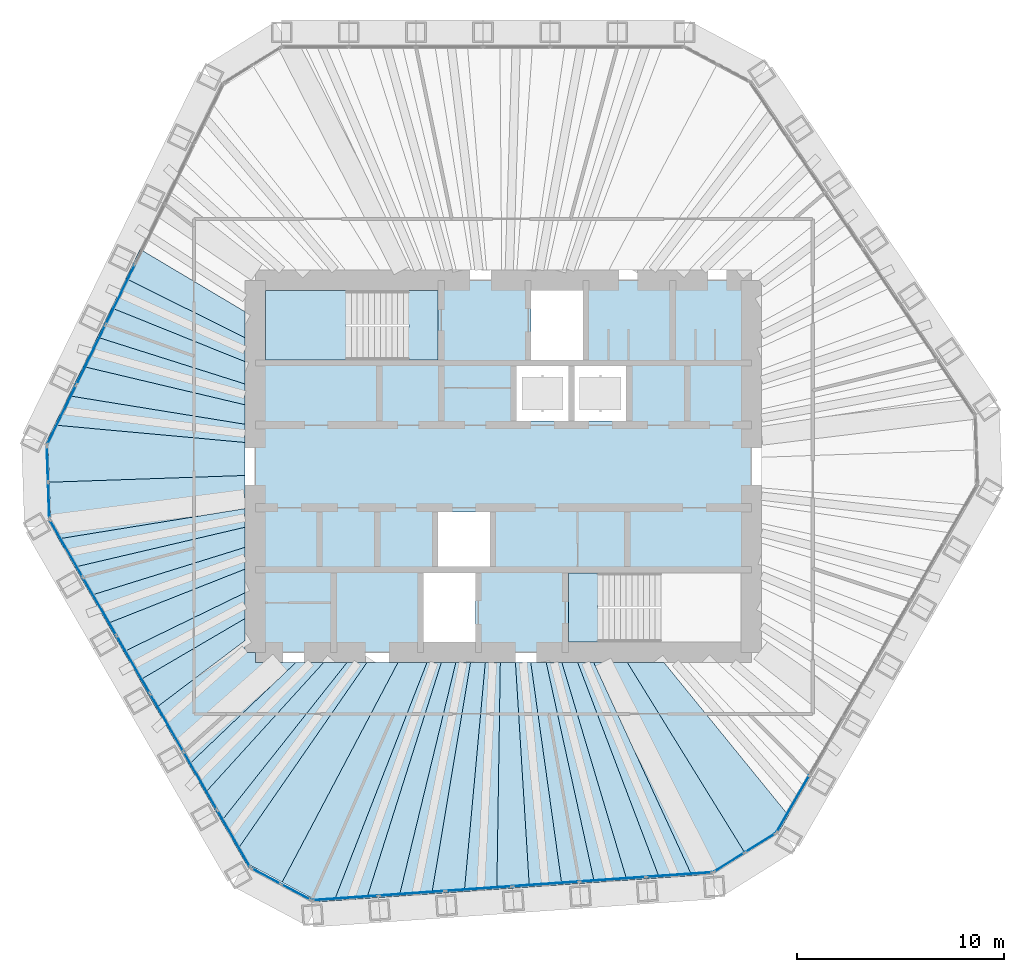
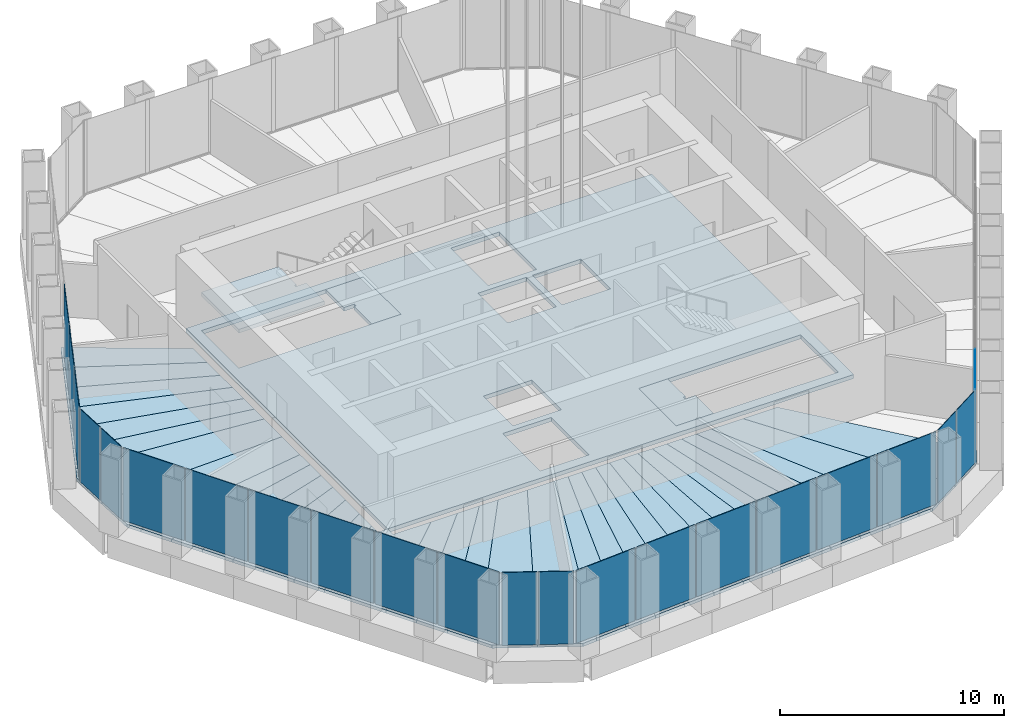
# One storey, part 9 of 19: 37 slabs, 22 plates, 9 elements without a shape of their own.
"""IFC4 building model written with IfcOpenShell, lengths in metres."""

from ifc_helpers import new_model, si_unit, direction, frame, origin, origin_2d, place, context, subcontext, project, spatial, polyline, rectangle, outline, extrude, material, layer, layer_set, type_object, element, aggregate, save


model = new_model("IFC4")

# Units and contexts
model_context = context("Model", 3, precision=1e-05, world=origin(), true_north=direction((0.0, 1.0)))
body_context = subcontext(model_context, "Body", "Model", "MODEL_VIEW")
ifc_project = project(units=[si_unit("LENGTHUNIT", "METRE"), si_unit("AREAUNIT", "SQUARE_METRE"), si_unit("VOLUMEUNIT", "CUBIC_METRE"), si_unit("PLANEANGLEUNIT", "RADIAN"), si_unit("MASSUNIT", "GRAM", prefix="KILO")], contexts=[model_context])

# Site, building, storey
site_placement = place(None, origin())
site = spatial("IfcSite", under=ifc_project, at=site_placement, CompositionType="ELEMENT")
building_placement = place(site_placement, origin())
building = spatial("IfcBuilding", under=site, at=building_placement, Name="Qingtian Harvest Tower", CompositionType="ELEMENT")
storey_placement = place(building_placement, frame((0.0, 0.0, 262.0)))
storey = spatial("IfcBuildingStorey", under=building, at=storey_placement, Name="L57", CompositionType="ELEMENT", Elevation=262.0)

# Slabs
ifc_material_1 = material(Name="Concrete fc' 35 MPa", Category="concrete")
ifc_layer_1 = layer(ifc_material_1, 0.169921875)
ifc_layer_set_1 = layer_set([ifc_layer_1], Name="Composite floor slab FS17 170")
slab_type_1 = type_object("IfcSlabType", Name="Composite floor slab FS17 170", PredefinedType="FLOOR", material=ifc_layer_set_1)
slab_1_placement = place(storey_placement, frame((0.0, 0.0, -0.169921875)))
element("IfcSlab", 1, at=slab_1_placement, inside=storey, type_object=slab_type_1, Name="Floor slab L57 panel D01", PredefinedType="FLOOR", context=body_context, shape_type="SweptSolid", body=[
    extrude(outline(polyline([(-21.969970703125, -0.767578125), (-12.5, -0.4404296875), (-12.5, -2.044921875), (-21.53515625, -3.509765625), (-21.89599609375, -2.885009765625), (-21.969970703125, -0.767578125)])), origin(), (0.0, 0.0, 1.0), 0.169921875),
])
slab_2_placement = place(storey_placement, frame((0.0, 0.0, -0.169921875)))
element("IfcSlab", 2, at=slab_2_placement, inside=storey, type_object=slab_type_1, Name="Floor slab L57 panel D02", PredefinedType="FLOOR", context=body_context, shape_type="SweptSolid", body=[
    extrude(outline(polyline([(-12.5, -2.94677734375), (-20.74609375, -4.87646484375), (-21.53515625, -3.509765625), (-12.5, -2.044921875), (-12.5, -2.94677734375)])), origin(), (0.0, 0.0, 1.0), 0.169921875),
])
slab_3_placement = place(storey_placement, frame((0.0, 0.0, -0.169921875)))
element("IfcSlab", 3, at=slab_3_placement, inside=storey, type_object=slab_type_1, Name="Floor slab L57 panel D03", PredefinedType="FLOOR", context=body_context, shape_type="SweptSolid", body=[
    extrude(outline(polyline([(-12.5, -3.919921875), (-19.957275390625, -6.2431640625), (-20.74609375, -4.87646484375), (-12.5, -2.94677734375), (-12.5, -3.919921875)])), origin(), (0.0, 0.0, 1.0), 0.169921875),
])
slab_4_placement = place(storey_placement, frame((0.0, 0.0, -0.169921875)))
element("IfcSlab", 4, at=slab_4_placement, inside=storey, type_object=slab_type_1, Name="Floor slab L57 panel D04", PredefinedType="FLOOR", context=body_context, shape_type="SweptSolid", body=[
    extrude(outline(polyline([(-12.5, -4.973388671875), (-19.168212890625, -7.60986328125), (-19.957275390625, -6.2431640625), (-12.5, -3.919921875), (-12.5, -4.973388671875)])), origin(), (0.0, 0.0, 1.0), 0.169921875),
])
slab_5_placement = place(storey_placement, frame((0.0, 0.0, -0.169921875)))
element("IfcSlab", 5, at=slab_5_placement, inside=storey, type_object=slab_type_1, Name="Floor slab L57 panel D05", PredefinedType="FLOOR", context=body_context, shape_type="SweptSolid", body=[
    extrude(outline(polyline([(-12.5, -6.1171875), (-18.379150390625, -8.9765625), (-19.168212890625, -7.60986328125), (-12.5, -4.973388671875), (-12.5, -6.1171875)])), origin(), (0.0, 0.0, 1.0), 0.169921875),
])
slab_6_placement = place(storey_placement, frame((0.0, 0.0, -0.169921875)))
element("IfcSlab", 6, at=slab_6_placement, inside=storey, type_object=slab_type_1, Name="Floor slab L57 panel D06", PredefinedType="FLOOR", context=body_context, shape_type="SweptSolid", body=[
    extrude(outline(polyline([(-12.5, -7.364013671875), (-17.58984375, -10.34326171875), (-18.379150390625, -8.9765625), (-12.5, -6.1171875), (-12.5, -7.364013671875)])), origin(), (0.0, 0.0, 1.0), 0.169921875),
])
slab_7_placement = place(storey_placement, frame((0.0, 0.0, -0.169921875)))
element("IfcSlab", 7, at=slab_7_placement, inside=storey, type_object=slab_type_1, Name="Floor slab L57 panel D07", PredefinedType="FLOOR", context=body_context, shape_type="SweptSolid", body=[
    extrude(outline(polyline([(-12.5, -8.432373046875), (-16.81298828125, -11.68896484375), (-17.58984375, -10.34326171875), (-12.5, -7.364013671875), (-12.5, -8.432373046875)])), origin(), (0.0, 0.0, 1.0), 0.169921875),
])
slab_8_placement = place(storey_placement, frame((0.0, 0.0, -0.169921875)))
element("IfcSlab", 8, at=slab_8_placement, inside=storey, type_object=slab_type_1, Name="Floor slab L57 panel D09", PredefinedType="FLOOR", context=body_context, shape_type="SweptSolid", body=[
    extrude(outline(polyline([(-15.224365234375, -14.4404296875), (-16.81298828125, -11.68896484375), (-12.5, -8.432373046875), (-12.5, -9.0), (-12.0, -9.0), (-12.0, -9.5), (-10.048828125, -9.5), (-15.224365234375, -14.4404296875)])), origin(), (0.0, 0.0, 1.0), 0.169921875),
])
slab_9_placement = place(storey_placement, frame((0.0, 0.0, -0.169921875)))
element("IfcSlab", 9, at=slab_9_placement, inside=storey, type_object=slab_type_1, Name="Floor slab L57 panel D10", PredefinedType="FLOOR", context=body_context, shape_type="SweptSolid", body=[
    extrude(outline(polyline([(-8.70068359375, -9.5), (-14.435302734375, -15.807373046875), (-15.224365234375, -14.4404296875), (-10.048828125, -9.5), (-8.70068359375, -9.5)])), origin(), (0.0, 0.0, 1.0), 0.169921875),
])
slab_10_placement = place(storey_placement, frame((0.0, 0.0, -0.169921875)))
element("IfcSlab", 10, at=slab_10_placement, inside=storey, type_object=slab_type_1, Name="Floor slab L57 panel D11", PredefinedType="FLOOR", context=body_context, shape_type="SweptSolid", body=[
    extrude(outline(polyline([(-7.568359375, -9.5), (-13.64599609375, -17.17431640625), (-14.435302734375, -15.807373046875), (-8.70068359375, -9.5), (-7.568359375, -9.5)])), origin(), (0.0, 0.0, 1.0), 0.169921875),
])
slab_11_placement = place(storey_placement, frame((0.0, 0.0, -0.169921875)))
element("IfcSlab", 11, at=slab_11_placement, inside=storey, type_object=slab_type_1, Name="Floor slab L57 panel D12", PredefinedType="FLOOR", context=body_context, shape_type="SweptSolid", body=[
    extrude(outline(polyline([(-6.603515625, -9.5), (-12.85693359375, -18.541015625), (-13.64599609375, -17.17431640625), (-7.568359375, -9.5), (-6.603515625, -9.5)])), origin(), (0.0, 0.0, 1.0), 0.169921875),
])
slab_12_placement = place(storey_placement, frame((0.0, 0.0, -0.169921875)))
element("IfcSlab", 12, at=slab_12_placement, inside=storey, type_object=slab_type_1, Name="Floor slab L57 panel D13", PredefinedType="FLOOR", context=body_context, shape_type="SweptSolid", body=[
    extrude(outline(polyline([(-6.603515625, -9.5), (-5.10009765625, -9.5), (-10.700927734375, -20.12060546875), (-12.49609375, -19.166259765625), (-12.85693359375, -18.541015625), (-6.603515625, -9.5)])), origin(), (0.0, 0.0, 1.0), 0.169921875),
])
slab_13_placement = place(storey_placement, frame((0.0, 0.0, -0.169921875)))
element("IfcSlab", 13, at=slab_13_placement, inside=storey, type_object=slab_type_1, Name="Floor slab L57 panel D14", PredefinedType="FLOOR", context=body_context, shape_type="SweptSolid", body=[
    extrude(outline(polyline([(-5.10009765625, -9.5), (-3.696044921875, -9.5), (-8.1826171875, -21.027099609375), (-8.90185546875, -21.077392578125), (-10.700927734375, -20.12060546875), (-5.10009765625, -9.5)])), origin(), (0.0, 0.0, 1.0), 0.169921875),
])
slab_14_placement = place(storey_placement, frame((0.0, 0.0, -0.169921875)))
element("IfcSlab", 14, at=slab_14_placement, inside=storey, type_object=slab_type_1, Name="Floor slab L57 panel D15", PredefinedType="FLOOR", context=body_context, shape_type="SweptSolid", body=[
    extrude(outline(polyline([(-3.00048828125, -9.5), (-6.6083984375, -20.9169921875), (-8.1826171875, -21.027099609375), (-3.696044921875, -9.5), (-3.00048828125, -9.5)])), origin(), (0.0, 0.0, 1.0), 0.169921875),
])
slab_15_placement = place(storey_placement, frame((0.0, 0.0, -0.169921875)))
element("IfcSlab", 15, at=slab_15_placement, inside=storey, type_object=slab_type_1, Name="Floor slab L57 panel D16", PredefinedType="FLOOR", context=body_context, shape_type="SweptSolid", body=[
    extrude(outline(polyline([(-2.297607421875, -9.5), (-5.0341796875, -20.806884765625), (-6.6083984375, -20.9169921875), (-3.00048828125, -9.5), (-2.297607421875, -9.5)])), origin(), (0.0, 0.0, 1.0), 0.169921875),
])
slab_16_placement = place(storey_placement, frame((0.0, 0.0, -0.169921875)))
element("IfcSlab", 16, at=slab_16_placement, inside=storey, type_object=slab_type_1, Name="Floor slab L57 panel D17", PredefinedType="FLOOR", context=body_context, shape_type="SweptSolid", body=[
    extrude(outline(polyline([(-1.58740234375, -9.5), (-3.460205078125, -20.69677734375), (-5.0341796875, -20.806884765625), (-2.297607421875, -9.5), (-1.58740234375, -9.5)])), origin(), (0.0, 0.0, 1.0), 0.169921875),
])
slab_17_placement = place(storey_placement, frame((0.0, 0.0, -0.169921875)))
element("IfcSlab", 17, at=slab_17_placement, inside=storey, type_object=slab_type_1, Name="Floor slab L57 panel D18", PredefinedType="FLOOR", context=body_context, shape_type="SweptSolid", body=[
    extrude(outline(polyline([(-0.869384765625, -9.5), (-1.885986328125, -20.586669921875), (-3.460205078125, -20.69677734375), (-1.58740234375, -9.5), (-0.869384765625, -9.5)])), origin(), (0.0, 0.0, 1.0), 0.169921875),
])
slab_18_placement = place(storey_placement, frame((0.0, 0.0, -0.169921875)))
element("IfcSlab", 18, at=slab_18_placement, inside=storey, type_object=slab_type_1, Name="Floor slab L57 panel D19", PredefinedType="FLOOR", context=body_context, shape_type="SweptSolid", body=[
    extrude(outline(polyline([(-0.143798828125, -9.5), (-0.311767578125, -20.4765625), (-1.885986328125, -20.586669921875), (-0.869384765625, -9.5), (-0.143798828125, -9.5)])), origin(), (0.0, 0.0, 1.0), 0.169921875),
])
slab_19_placement = place(storey_placement, frame((0.0, 0.0, -0.169921875)))
element("IfcSlab", 19, at=slab_19_placement, inside=storey, type_object=slab_type_1, Name="Floor slab L57 panel D20", PredefinedType="FLOOR", context=body_context, shape_type="SweptSolid", body=[
    extrude(outline(polyline([(0.58984375, -9.5), (1.262451171875, -20.366455078125), (-0.311767578125, -20.4765625), (-0.143798828125, -9.5), (0.58984375, -9.5)])), origin(), (0.0, 0.0, 1.0), 0.169921875),
])
slab_20_placement = place(storey_placement, frame((0.0, 0.0, -0.169921875)))
element("IfcSlab", 20, at=slab_20_placement, inside=storey, type_object=slab_type_1, Name="Floor slab L57 panel D21", PredefinedType="FLOOR", context=body_context, shape_type="SweptSolid", body=[
    extrude(outline(polyline([(1.331298828125, -9.5), (2.83642578125, -20.256591796875), (1.262451171875, -20.366455078125), (0.58984375, -9.5), (1.331298828125, -9.5)])), origin(), (0.0, 0.0, 1.0), 0.169921875),
])
slab_21_placement = place(storey_placement, frame((0.0, 0.0, -0.169921875)))
element("IfcSlab", 21, at=slab_21_placement, inside=storey, type_object=slab_type_1, Name="Floor slab L57 panel D22", PredefinedType="FLOOR", context=body_context, shape_type="SweptSolid", body=[
    extrude(outline(polyline([(2.080810546875, -9.5), (4.41064453125, -20.146484375), (2.83642578125, -20.256591796875), (1.331298828125, -9.5), (2.080810546875, -9.5)])), origin(), (0.0, 0.0, 1.0), 0.169921875),
])
slab_22_placement = place(storey_placement, frame((0.0, 0.0, -0.169921875)))
element("IfcSlab", 22, at=slab_22_placement, inside=storey, type_object=slab_type_1, Name="Floor slab L57 panel D23", PredefinedType="FLOOR", context=body_context, shape_type="SweptSolid", body=[
    extrude(outline(polyline([(2.838623046875, -9.5), (5.98486328125, -20.036376953125), (4.41064453125, -20.146484375), (2.080810546875, -9.5), (2.838623046875, -9.5)])), origin(), (0.0, 0.0, 1.0), 0.169921875),
])
slab_23_placement = place(storey_placement, frame((0.0, 0.0, -0.169921875)))
element("IfcSlab", 23, at=slab_23_placement, inside=storey, type_object=slab_type_1, Name="Floor slab L57 panel D24", PredefinedType="FLOOR", context=body_context, shape_type="SweptSolid", body=[
    extrude(outline(polyline([(3.604736328125, -9.5), (7.55908203125, -19.92626953125), (5.98486328125, -20.036376953125), (2.838623046875, -9.5), (3.604736328125, -9.5)])), origin(), (0.0, 0.0, 1.0), 0.169921875),
])
slab_24_placement = place(storey_placement, frame((0.0, 0.0, -0.169921875)))
element("IfcSlab", 24, at=slab_24_placement, inside=storey, type_object=slab_type_1, Name="Floor slab L57 panel D25", PredefinedType="FLOOR", context=body_context, shape_type="SweptSolid", body=[
    extrude(outline(polyline([(4.379638671875, -9.5), (9.133056640625, -19.816162109375), (7.55908203125, -19.92626953125), (3.604736328125, -9.5), (4.379638671875, -9.5)])), origin(), (0.0, 0.0, 1.0), 0.169921875),
])
slab_25_placement = place(storey_placement, frame((0.0, 0.0, -0.169921875)))
element("IfcSlab", 25, at=slab_25_placement, inside=storey, type_object=slab_type_1, Name="Floor slab L57 panel D26", PredefinedType="FLOOR", context=body_context, shape_type="SweptSolid", body=[
    extrude(outline(polyline([(4.379638671875, -9.5), (6.0087890625, -9.5), (11.652587890625, -18.64111328125), (9.852294921875, -19.765869140625), (9.133056640625, -19.816162109375), (4.379638671875, -9.5)])), origin(), (0.0, 0.0, 1.0), 0.169921875),
])
slab_26_placement = place(storey_placement, frame((0.0, 0.0, -0.169921875)))
element("IfcSlab", 26, at=slab_26_placement, inside=storey, type_object=slab_type_1, Name="Floor slab L57 panel D27", PredefinedType="FLOOR", context=body_context, shape_type="SweptSolid", body=[
    extrude(outline(polyline([(6.0087890625, -9.5), (7.78515625, -9.5), (13.8076171875, -16.89453125), (13.446533203125, -17.52001953125), (11.652587890625, -18.64111328125), (6.0087890625, -9.5)])), origin(), (0.0, 0.0, 1.0), 0.169921875),
])
slab_27_placement = place(storey_placement, frame((0.0, 0.0, -0.169921875)))
element("IfcSlab", 27, at=slab_27_placement, inside=storey, type_object=slab_type_1, Name="Floor slab L57 panel D72", PredefinedType="FLOOR", context=body_context, shape_type="SweptSolid", body=[
    extrude(outline(polyline([(-12.5, 6.23095703125), (-18.268798828125, 9.0908203125), (-17.576904296875, 10.50927734375), (-12.5, 7.48583984375), (-12.5, 6.23095703125)])), origin(), (0.0, 0.0, 1.0), 0.169921875),
])
slab_28_placement = place(storey_placement, frame((0.0, 0.0, -0.169921875)))
element("IfcSlab", 28, at=slab_28_placement, inside=storey, type_object=slab_type_1, Name="Floor slab L57 panel D73", PredefinedType="FLOOR", context=body_context, shape_type="SweptSolid", body=[
    extrude(outline(polyline([(-12.5, 5.06787109375), (-18.96044921875, 7.67236328125), (-18.268798828125, 9.0908203125), (-12.5, 6.23095703125), (-12.5, 5.06787109375)])), origin(), (0.0, 0.0, 1.0), 0.169921875),
])
slab_29_placement = place(storey_placement, frame((0.0, 0.0, -0.169921875)))
element("IfcSlab", 29, at=slab_29_placement, inside=storey, type_object=slab_type_1, Name="Floor slab L57 panel D74", PredefinedType="FLOOR", context=body_context, shape_type="SweptSolid", body=[
    extrude(outline(polyline([(-12.5, 3.986572265625), (-19.65234375, 6.254150390625), (-18.96044921875, 7.67236328125), (-12.5, 5.06787109375), (-12.5, 3.986572265625)])), origin(), (0.0, 0.0, 1.0), 0.169921875),
])
slab_30_placement = place(storey_placement, frame((0.0, 0.0, -0.169921875)))
element("IfcSlab", 30, at=slab_30_placement, inside=storey, type_object=slab_type_1, Name="Floor slab L57 panel D75", PredefinedType="FLOOR", context=body_context, shape_type="SweptSolid", body=[
    extrude(outline(polyline([(-12.5, 2.97900390625), (-20.343994140625, 4.835693359375), (-19.65234375, 6.254150390625), (-12.5, 3.986572265625), (-12.5, 2.97900390625)])), origin(), (0.0, 0.0, 1.0), 0.169921875),
])
slab_31_placement = place(storey_placement, frame((0.0, 0.0, -0.169921875)))
element("IfcSlab", 31, at=slab_31_placement, inside=storey, type_object=slab_type_1, Name="Floor slab L57 panel D76", PredefinedType="FLOOR", context=body_context, shape_type="SweptSolid", body=[
    extrude(outline(polyline([(-12.5, 2.037841796875), (-21.035888671875, 3.41748046875), (-20.343994140625, 4.835693359375), (-12.5, 2.97900390625), (-12.5, 2.037841796875)])), origin(), (0.0, 0.0, 1.0), 0.169921875),
])
slab_32_placement = place(storey_placement, frame((0.0, 0.0, -0.169921875)))
element("IfcSlab", 32, at=slab_32_placement, inside=storey, type_object=slab_type_1, Name="Floor slab L57 panel D77", PredefinedType="FLOOR", context=body_context, shape_type="SweptSolid", body=[
    extrude(outline(polyline([(-12.5, 1.156494140625), (-21.7275390625, 1.9990234375), (-21.035888671875, 3.41748046875), (-12.5, 2.037841796875), (-12.5, 1.156494140625)])), origin(), (0.0, 0.0, 1.0), 0.169921875),
])
slab_33_placement = place(storey_placement, frame((0.0, 0.0, -0.169921875)))
element("IfcSlab", 33, at=slab_33_placement, inside=storey, type_object=slab_type_1, Name="Floor slab L57 panel D78", PredefinedType="FLOOR", context=body_context, shape_type="SweptSolid", body=[
    extrude(outline(polyline([(-12.5, 1.156494140625), (-12.5, -0.4404296875), (-21.969970703125, -0.767578125), (-22.0439453125, 1.3505859375), (-21.7275390625, 1.9990234375), (-12.5, 1.156494140625)])), origin(), (0.0, 0.0, 1.0), 0.169921875),
])
ifc_material_2 = material(Name="Concrete fc' 35 MPa", Category="concrete")
ifc_layer_2 = layer(ifc_material_2, 0.219970703125)
ifc_layer_set_2 = layer_set([ifc_layer_2], Name="Core floor slab CS22 220")
slab_type_2 = type_object("IfcSlabType", Name="Core floor slab CS22 220", PredefinedType="FLOOR", material=ifc_layer_set_2)
slab_34_placement = place(storey_placement, frame((0.0, 0.0, -0.219970703125)))
element("IfcSlab", 34, at=slab_34_placement, inside=storey, type_object=slab_type_2, Name="Core floor slab L57", PredefinedType="FLOOR", context=body_context, shape_type="SweptSolid", body=[
    extrude(outline(polyline([(-12.0, -9.0), (12.0, -9.0), (12.0, 9.0), (-12.0, 9.0), (-12.0, -9.0)]), holes=[polyline([(-11.5, 5.14990234375), (-3.14990234375, 5.14990234375), (-3.14990234375, 8.5), (-11.5, 8.5), (-11.5, 5.14990234375)]), polyline([(3.14990234375, -8.5), (11.5, -8.5), (11.5, -5.14990234375), (3.14990234375, -5.14990234375), (3.14990234375, -8.5)]), polyline([(1.35009765625, 5.14990234375), (3.85009765625, 5.14990234375), (3.85009765625, 8.5), (1.35009765625, 8.5), (1.35009765625, 5.14990234375)]), polyline([(-3.85009765625, -8.5), (-1.35009765625, -8.5), (-1.35009765625, -5.14990234375), (-3.85009765625, -5.14990234375), (-3.85009765625, -8.5)]), polyline([(0.64990234375, 2.199951171875), (3.14990234375, 2.199951171875), (3.14990234375, 4.85009765625), (0.64990234375, 4.85009765625), (0.64990234375, 2.199951171875)]), polyline([(3.449951171875, 2.199951171875), (5.949951171875, 2.199951171875), (5.949951171875, 4.85009765625), (3.449951171875, 4.85009765625), (3.449951171875, 2.199951171875)]), polyline([(-3.14990234375, -4.85009765625), (-0.64990234375, -4.85009765625), (-0.64990234375, -2.199951171875), (-3.14990234375, -2.199951171875), (-3.14990234375, -4.85009765625)])]), origin(), (0.0, 0.0, 1.0), 0.219970703125),
])

# Curtain wall, plate
ifc_material_3 = material(Name="Bronze-anodised aluminium curtain wall", Category="aluminium")
curtain_wall_type = type_object("IfcCurtainWallType", Name="Curtain wall CW3 sky lobby", PredefinedType="USERDEFINED", material=ifc_material_3)
curtain_wall_1_placement = place(storey_placement, origin())
curtain_wall_1 = element("IfcCurtainWall", 35, at=curtain_wall_1_placement, inside=storey, type_object=curtain_wall_type, Name="Curtain wall CW3 L57 SE0-5", ObjectType="RECESSED CURTAIN WALL", PredefinedType="USERDEFINED")
ifc_material_4 = material(Name="Bronze-tinted laminated insulating glass", Category="glass")
ifc_layer_3 = layer(ifc_material_4, 0.030029296875)
ifc_layer_set_3 = layer_set([ifc_layer_3], Name="Glazed panel CWP tinted IGU")
plate_type = type_object("IfcPlateType", Name="Glazed panel CWP tinted IGU", PredefinedType="CURTAIN_PANEL", material=ifc_layer_set_3)
plate_1_placement = place(storey_placement, frame((14.017578125, -16.321044921875, 0.06494140625), z_axis=(0.0, 0.0, 1.0), x_axis=(-0.5, -0.866025403784, 0.0)))
plate_1 = element("IfcPlate", 36, at=plate_1_placement, type_object=plate_type, Name="CW3 panel 6.1", PredefinedType="CURTAIN_PANEL", context=body_context, shape_type="SweptSolid", body=[
    extrude(rectangle(XDim=3.150634765625, YDim=0.030029296875, at=origin_2d()), origin(), (0.0, 0.0, 1.0), 3.965087890625),
])
aggregate(curtain_wall_1, [plate_1])

# Curtain wall, plates
curtain_wall_2_placement = place(storey_placement, origin())
curtain_wall_2 = element("IfcCurtainWall", 37, at=curtain_wall_2_placement, inside=storey, type_object=curtain_wall_type, Name="Curtain wall CW3 L57 SEC", ObjectType="RECESSED CURTAIN WALL", PredefinedType="USERDEFINED")
plate_2_placement = place(storey_placement, frame((12.42431640625, -18.224609375, 0.06494140625), z_axis=(0.0, 0.0, 1.0), x_axis=(-0.848048096156, -0.529919264233, 0.0)))
plate_2 = element("IfcPlate", 38, at=plate_2_placement, type_object=plate_type, Name="CW3 panel 1.1", PredefinedType="CURTAIN_PANEL", context=body_context, shape_type="SweptSolid", body=[
    extrude(rectangle(XDim=1.69287109375, YDim=0.030029296875, at=origin_2d()), origin(), (0.0, 0.0, 1.0), 3.965087890625),
])
plate_3_placement = place(storey_placement, frame((10.93359375, -19.156005859375, 0.06494140625), z_axis=(0.0, 0.0, 1.0), x_axis=(-0.848048096156, -0.529919264233, 0.0)))
plate_3 = element("IfcPlate", 39, at=plate_3_placement, type_object=plate_type, Name="CW3 panel 2.1", PredefinedType="CURTAIN_PANEL", context=body_context, shape_type="SweptSolid", body=[
    extrude(rectangle(XDim=1.69287109375, YDim=0.030029296875, at=origin_2d()), origin(), (0.0, 0.0, 1.0), 3.965087890625),
])
aggregate(curtain_wall_2, [plate_2, plate_3])

curtain_wall_3_placement = place(storey_placement, origin())
curtain_wall_3 = element("IfcCurtainWall", 40, at=curtain_wall_3_placement, inside=storey, type_object=curtain_wall_type, Name="Curtain wall CW3 L57 S0-5", ObjectType="RECESSED CURTAIN WALL", PredefinedType="USERDEFINED")
plate_4_placement = place(storey_placement, frame((8.5244140625, -19.75341796875, 0.06494140625), z_axis=(0.0, 0.0, 1.0), x_axis=(-0.99756405026, -0.069756473744, 0.0)))
plate_4 = element("IfcPlate", 41, at=plate_4_placement, type_object=plate_type, Name="CW3 panel 1.1", PredefinedType="CURTAIN_PANEL", context=body_context, shape_type="SweptSolid", body=[
    extrude(rectangle(XDim=3.150634765625, YDim=0.030029296875, at=origin_2d()), origin(), (0.0, 0.0, 1.0), 3.965087890625),
])
plate_5_placement = place(storey_placement, frame((5.300537109375, -19.97900390625, 0.06494140625), z_axis=(0.0, 0.0, 1.0), x_axis=(-0.99756405026, -0.069756473744, 0.0)))
plate_5 = element("IfcPlate", 42, at=plate_5_placement, type_object=plate_type, Name="CW3 panel 2.1", PredefinedType="CURTAIN_PANEL", context=body_context, shape_type="SweptSolid", body=[
    extrude(rectangle(XDim=3.18310546875, YDim=0.030029296875, at=origin_2d()), origin(), (0.0, 0.0, 1.0), 3.965087890625),
])
plate_6_placement = place(storey_placement, frame((2.060302734375, -20.20556640625, 0.06494140625), z_axis=(0.0, 0.0, 1.0), x_axis=(-0.99756405026, -0.069756473744, 0.0)))
plate_6 = element("IfcPlate", 43, at=plate_6_placement, type_object=plate_type, Name="CW3 panel 3.1", PredefinedType="CURTAIN_PANEL", context=body_context, shape_type="SweptSolid", body=[
    extrude(rectangle(XDim=3.18310546875, YDim=0.030029296875, at=origin_2d()), origin(), (0.0, 0.0, 1.0), 3.965087890625),
])
plate_7_placement = place(storey_placement, frame((-1.1796875, -20.43212890625, 0.06494140625), z_axis=(0.0, 0.0, 1.0), x_axis=(-0.99756405026, -0.069756473744, 0.0)))
plate_7 = element("IfcPlate", 44, at=plate_7_placement, type_object=plate_type, Name="CW3 panel 4.1", PredefinedType="CURTAIN_PANEL", context=body_context, shape_type="SweptSolid", body=[
    extrude(rectangle(XDim=3.18310546875, YDim=0.030029296875, at=origin_2d()), origin(), (0.0, 0.0, 1.0), 3.965087890625),
])
plate_8_placement = place(storey_placement, frame((-4.419921875, -20.65869140625, 0.06494140625), z_axis=(0.0, 0.0, 1.0), x_axis=(-0.99756405026, -0.069756473744, 0.0)))
plate_8 = element("IfcPlate", 45, at=plate_8_placement, type_object=plate_type, Name="CW3 panel 5.1", PredefinedType="CURTAIN_PANEL", context=body_context, shape_type="SweptSolid", body=[
    extrude(rectangle(XDim=3.18310546875, YDim=0.030029296875, at=origin_2d()), origin(), (0.0, 0.0, 1.0), 3.965087890625),
])
plate_9_placement = place(storey_placement, frame((-7.643798828125, -20.884033203125, 0.06494140625), z_axis=(0.0, 0.0, 1.0), x_axis=(-0.99756405026, -0.069756473744, 0.0)))
plate_9 = element("IfcPlate", 46, at=plate_9_placement, type_object=plate_type, Name="CW3 panel 6.1", PredefinedType="CURTAIN_PANEL", context=body_context, shape_type="SweptSolid", body=[
    extrude(rectangle(XDim=3.150634765625, YDim=0.030029296875, at=origin_2d()), origin(), (0.0, 0.0, 1.0), 3.965087890625),
])
aggregate(curtain_wall_3, [plate_4, plate_5, plate_6, plate_7, plate_8, plate_9])

curtain_wall_4_placement = place(storey_placement, origin())
curtain_wall_4 = element("IfcCurtainWall", 47, at=curtain_wall_4_placement, inside=storey, type_object=curtain_wall_type, Name="Curtain wall CW3 L57 SC", ObjectType="RECESSED CURTAIN WALL", PredefinedType="USERDEFINED")
plate_10_placement = place(storey_placement, frame((-10.029296875, -20.60009765625, 0.06494140625), z_axis=(0.0, 0.0, 1.0), x_axis=(-0.882947592859, 0.469471562786, 0.0)))
plate_10 = element("IfcPlate", 48, at=plate_10_placement, type_object=plate_type, Name="CW3 panel 1.1", PredefinedType="CURTAIN_PANEL", context=body_context, shape_type="SweptSolid", body=[
    extrude(rectangle(XDim=1.56689453125, YDim=0.030029296875, at=origin_2d()), origin(), (0.0, 0.0, 1.0), 3.965087890625),
])
plate_11_placement = place(storey_placement, frame((-11.469970703125, -19.833984375, 0.06494140625), z_axis=(0.0, 0.0, 1.0), x_axis=(-0.882947592859, 0.469471562786, 0.0)))
plate_11 = element("IfcPlate", 49, at=plate_11_placement, type_object=plate_type, Name="CW3 panel 2.1", PredefinedType="CURTAIN_PANEL", context=body_context, shape_type="SweptSolid", body=[
    extrude(rectangle(XDim=1.56689453125, YDim=0.030029296875, at=origin_2d()), origin(), (0.0, 0.0, 1.0), 3.965087890625),
])
aggregate(curtain_wall_4, [plate_10, plate_11])

curtain_wall_5_placement = place(storey_placement, origin())
curtain_wall_5 = element("IfcCurtainWall", 50, at=curtain_wall_5_placement, inside=storey, type_object=curtain_wall_type, Name="Curtain wall CW3 L57 SW0-5", ObjectType="RECESSED CURTAIN WALL", PredefinedType="USERDEFINED")
plate_12_placement = place(storey_placement, frame((-13.039306640625, -18.01513671875, 0.06494140625), z_axis=(0.0, 0.0, 1.0), x_axis=(-0.5, 0.866025403784, 0.0)))
plate_12 = element("IfcPlate", 51, at=plate_12_placement, type_object=plate_type, Name="CW3 panel 1.1", PredefinedType="CURTAIN_PANEL", context=body_context, shape_type="SweptSolid", body=[
    extrude(rectangle(XDim=3.150634765625, YDim=0.030029296875, at=origin_2d()), origin(), (0.0, 0.0, 1.0), 3.965087890625),
])
plate_13_placement = place(storey_placement, frame((-14.6552734375, -15.216552734375, 0.06494140625), z_axis=(0.0, 0.0, 1.0), x_axis=(-0.5, 0.866025403784, 0.0)))
plate_13 = element("IfcPlate", 52, at=plate_13_placement, type_object=plate_type, Name="CW3 panel 2.1", PredefinedType="CURTAIN_PANEL", context=body_context, shape_type="SweptSolid", body=[
    extrude(rectangle(XDim=3.18310546875, YDim=0.030029296875, at=origin_2d()), origin(), (0.0, 0.0, 1.0), 3.965087890625),
])
plate_14_placement = place(storey_placement, frame((-16.279296875, -12.403564453125, 0.06494140625), z_axis=(0.0, 0.0, 1.0), x_axis=(-0.5, 0.866025403784, 0.0)))
plate_14 = element("IfcPlate", 53, at=plate_14_placement, type_object=plate_type, Name="CW3 panel 3.1", PredefinedType="CURTAIN_PANEL", context=body_context, shape_type="SweptSolid", body=[
    extrude(rectangle(XDim=3.18310546875, YDim=0.030029296875, at=origin_2d()), origin(), (0.0, 0.0, 1.0), 3.965087890625),
])
plate_15_placement = place(storey_placement, frame((-17.9033203125, -9.590576171875, 0.06494140625), z_axis=(0.0, 0.0, 1.0), x_axis=(-0.5, 0.866025403784, 0.0)))
plate_15 = element("IfcPlate", 54, at=plate_15_placement, type_object=plate_type, Name="CW3 panel 4.1", PredefinedType="CURTAIN_PANEL", context=body_context, shape_type="SweptSolid", body=[
    extrude(rectangle(XDim=3.18310546875, YDim=0.030029296875, at=origin_2d()), origin(), (0.0, 0.0, 1.0), 3.965087890625),
])
plate_16_placement = place(storey_placement, frame((-19.52734375, -6.77783203125, 0.06494140625), z_axis=(0.0, 0.0, 1.0), x_axis=(-0.5, 0.866025403784, 0.0)))
plate_16 = element("IfcPlate", 55, at=plate_16_placement, type_object=plate_type, Name="CW3 panel 5.1", PredefinedType="CURTAIN_PANEL", context=body_context, shape_type="SweptSolid", body=[
    extrude(rectangle(XDim=3.18310546875, YDim=0.030029296875, at=origin_2d()), origin(), (0.0, 0.0, 1.0), 3.965087890625),
])
plate_17_placement = place(storey_placement, frame((-21.14306640625, -3.97900390625, 0.06494140625), z_axis=(0.0, 0.0, 1.0), x_axis=(-0.5, 0.866025403784, 0.0)))
plate_17 = element("IfcPlate", 56, at=plate_17_placement, type_object=plate_type, Name="CW3 panel 6.1", PredefinedType="CURTAIN_PANEL", context=body_context, shape_type="SweptSolid", body=[
    extrude(rectangle(XDim=3.150634765625, YDim=0.030029296875, at=origin_2d()), origin(), (0.0, 0.0, 1.0), 3.965087890625),
])
aggregate(curtain_wall_5, [plate_12, plate_13, plate_14, plate_15, plate_16, plate_17])

curtain_wall_6_placement = place(storey_placement, origin())
curtain_wall_6 = element("IfcCurtainWall", 57, at=curtain_wall_6_placement, inside=storey, type_object=curtain_wall_type, Name="Curtain wall CW3 L57 SWC", ObjectType="RECESSED CURTAIN WALL", PredefinedType="USERDEFINED")
plate_18_placement = place(storey_placement, frame((-21.9951171875, -1.647705078125, 0.06494140625), z_axis=(0.0, 0.0, 1.0), x_axis=(-0.034899496703, 0.999390827019, 0.0)))
plate_18 = element("IfcPlate", 58, at=plate_18_placement, type_object=plate_type, Name="CW3 panel 1.1", PredefinedType="CURTAIN_PANEL", context=body_context, shape_type="SweptSolid", body=[
    extrude(rectangle(XDim=1.69287109375, YDim=0.030029296875, at=origin_2d()), origin(), (0.0, 0.0, 1.0), 3.965087890625),
])
plate_19_placement = place(storey_placement, frame((-22.056396484375, 0.109375, 0.06494140625), z_axis=(0.0, 0.0, 1.0), x_axis=(-0.034899496703, 0.999390827019, 0.0)))
plate_19 = element("IfcPlate", 59, at=plate_19_placement, type_object=plate_type, Name="CW3 panel 2.1", PredefinedType="CURTAIN_PANEL", context=body_context, shape_type="SweptSolid", body=[
    extrude(rectangle(XDim=1.69287109375, YDim=0.030029296875, at=origin_2d()), origin(), (0.0, 0.0, 1.0), 3.965087890625),
])
aggregate(curtain_wall_6, [plate_18, plate_19])

curtain_wall_7_placement = place(storey_placement, origin())
curtain_wall_7 = element("IfcCurtainWall", 60, at=curtain_wall_7_placement, inside=storey, type_object=curtain_wall_type, Name="Curtain wall CW3 L57 NW0-5", ObjectType="RECESSED CURTAIN WALL", PredefinedType="USERDEFINED")
plate_20_placement = place(storey_placement, frame((-21.369140625, 2.494384765625, 0.06494140625), z_axis=(0.0, 0.0, 1.0), x_axis=(0.438371146789, 0.898794046299, 0.0)))
plate_20 = element("IfcPlate", 61, at=plate_20_placement, type_object=plate_type, Name="CW3 panel 1.1", PredefinedType="CURTAIN_PANEL", context=body_context, shape_type="SweptSolid", body=[
    extrude(rectangle(XDim=3.150634765625, YDim=0.030029296875, at=origin_2d()), origin(), (0.0, 0.0, 1.0), 3.965087890625),
])
plate_21_placement = place(storey_placement, frame((-19.952392578125, 5.399169921875, 0.06494140625), z_axis=(0.0, 0.0, 1.0), x_axis=(0.438371146789, 0.898794046299, 0.0)))
plate_21 = element("IfcPlate", 62, at=plate_21_placement, type_object=plate_type, Name="CW3 panel 2.1", PredefinedType="CURTAIN_PANEL", context=body_context, shape_type="SweptSolid", body=[
    extrude(rectangle(XDim=3.18310546875, YDim=0.030029296875, at=origin_2d()), origin(), (0.0, 0.0, 1.0), 3.965087890625),
])
plate_22_placement = place(storey_placement, frame((-18.528564453125, 8.318359375, 0.06494140625), z_axis=(0.0, 0.0, 1.0), x_axis=(0.438371146789, 0.898794046299, 0.0)))
plate_22 = element("IfcPlate", 63, at=plate_22_placement, type_object=plate_type, Name="CW3 panel 3.1", PredefinedType="CURTAIN_PANEL", context=body_context, shape_type="SweptSolid", body=[
    extrude(rectangle(XDim=3.18310546875, YDim=0.030029296875, at=origin_2d()), origin(), (0.0, 0.0, 1.0), 3.965087890625),
])
aggregate(curtain_wall_7, [plate_20, plate_21, plate_22])

# Stair, slabs
ifc_material_5 = material(Name="Concrete fc' 35 MPa", Category="concrete")
stair_type = type_object("IfcStairType", Name="Special stair ST6 4200", PredefinedType="HALF_TURN_STAIR", material=ifc_material_5)
stair_1_placement = place(storey_placement, origin())
stair_1 = element("IfcStair", 64, at=stair_1_placement, inside=storey, type_object=stair_type, Name="Special stair S1 L57", PredefinedType="HALF_TURN_STAIR")
ifc_material_6 = material(Name="Concrete fc' 35 MPa", Category="concrete")
ifc_layer_4 = layer(ifc_material_6, 0.199951171875)
ifc_layer_set_4 = layer_set([ifc_layer_4], Name="Stair landing SL2 200")
slab_type_3 = type_object("IfcSlabType", Name="Stair landing SL2 200", PredefinedType="LANDING", material=ifc_layer_set_4)
slab_35_placement = place(storey_placement, frame((0.0, 0.0, -0.199951171875)))
slab_35 = element("IfcSlab", 65, at=slab_35_placement, type_object=slab_type_3, Name="S1 landing 1", PredefinedType="LANDING", context=body_context, shape_type="SweptSolid", body=[
    extrude(outline(polyline([(-4.64990234375, 5.14990234375), (-4.64990234375, 6.72509765625), (-4.550048828125, 6.72509765625), (-4.550048828125, 6.875), (-5.0849609375, 6.875), (-5.0849609375, 8.5), (-3.14990234375, 8.5), (-3.14990234375, 5.14990234375), (-4.64990234375, 5.14990234375)])), origin(), (0.0, 0.0, 1.0), 0.199951171875),
])
slab_36_placement = place(storey_placement, frame((0.0, 0.0, 1.89990234375)))
slab_36 = element("IfcSlab", 66, at=slab_36_placement, type_object=slab_type_3, Name="S1 landing 2", PredefinedType="LANDING", context=body_context, shape_type="SweptSolid", body=[
    extrude(outline(polyline([(-7.094970703125, 5.14990234375), (-11.5, 5.14990234375), (-11.5, 8.5), (-7.530029296875, 8.5), (-7.530029296875, 6.875), (-7.6298828125, 6.875), (-7.6298828125, 6.77490234375), (-7.094970703125, 6.77490234375), (-7.094970703125, 5.14990234375)])), origin(), (0.0, 0.0, 1.0), 0.2001953125),
])
aggregate(stair_1, [slab_35, slab_36])

# Stair, slab
stair_2_placement = place(storey_placement, origin())
stair_2 = element("IfcStair", 67, at=stair_2_placement, inside=storey, type_object=stair_type, Name="Special stair S2 L57", PredefinedType="HALF_TURN_STAIR")
slab_37_placement = place(storey_placement, frame((0.0, 0.0, -0.199951171875)))
slab_37 = element("IfcSlab", 68, at=slab_37_placement, type_object=slab_type_3, Name="S2 landing 1", PredefinedType="LANDING", context=body_context, shape_type="SweptSolid", body=[
    extrude(outline(polyline([(5.0849609375, -8.5), (3.14990234375, -8.5), (3.14990234375, -5.14990234375), (4.64990234375, -5.14990234375), (4.64990234375, -6.72509765625), (4.550048828125, -6.72509765625), (4.550048828125, -6.875), (5.0849609375, -6.875), (5.0849609375, -8.5)])), origin(), (0.0, 0.0, 1.0), 0.199951171875),
])
aggregate(stair_2, [slab_37])

save(model, "model.ifc")
